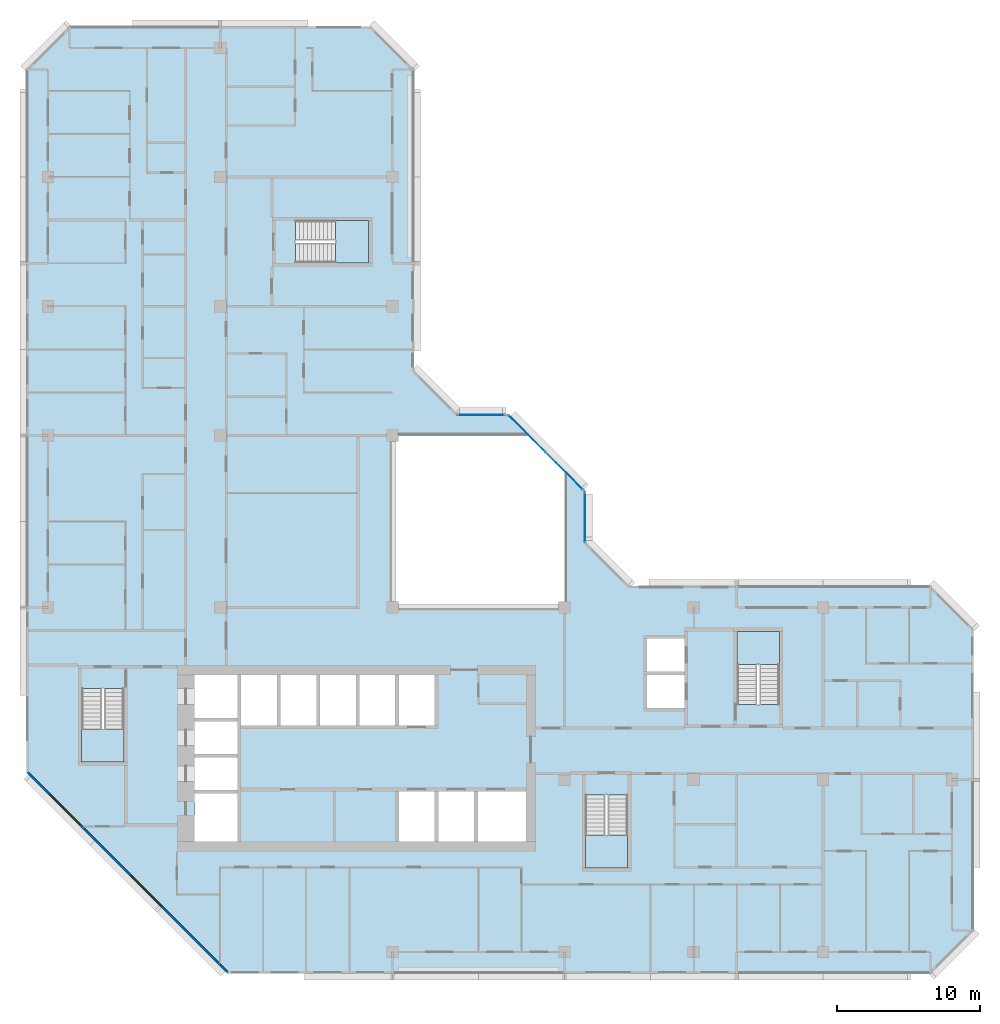
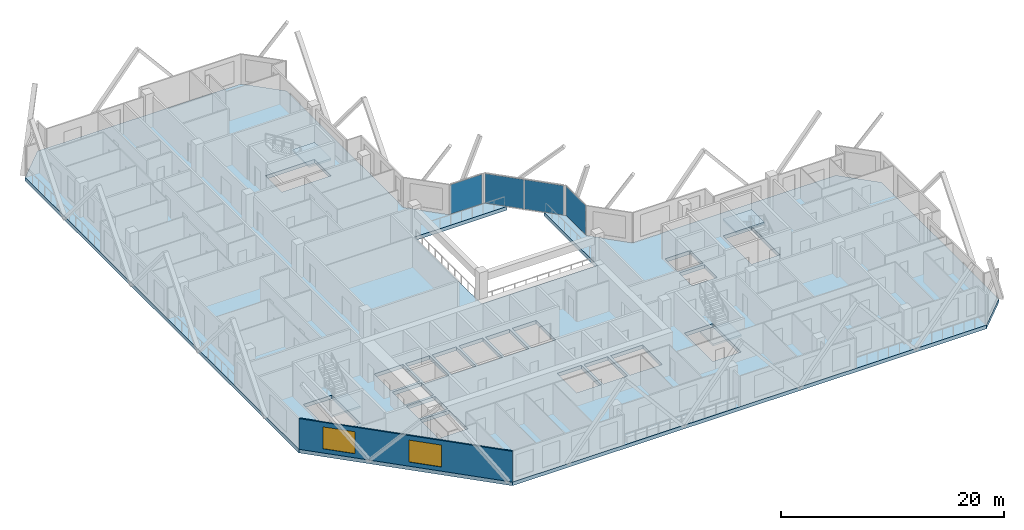
# One storey, part 3 of 16: 5 slabs, 4 plates, 2 windows, 1 wall, 2 openings, 7 elements without a shape of their own.
"""IFC4 building model written with IfcOpenShell, lengths in metres."""

from ifc_helpers import new_model, si_unit, direction, frame, frame_2d, origin, origin_2d, place, context, subcontext, project, spatial, polyline, rectangle, outline, extrude, material, layer, layer_set, type_object, element, fill, aggregate, save


model = new_model("IFC4")

# Units and contexts
model_context = context("Model", 3, precision=1e-05, world=origin(), true_north=direction((0.0, 1.0)))
body_context = subcontext(model_context, "Body", "Model", "MODEL_VIEW")
ifc_project = project(units=[si_unit("LENGTHUNIT", "METRE"), si_unit("AREAUNIT", "SQUARE_METRE"), si_unit("VOLUMEUNIT", "CUBIC_METRE"), si_unit("PLANEANGLEUNIT", "RADIAN"), si_unit("MASSUNIT", "GRAM", prefix="KILO")], contexts=[model_context])

# Site, building, storey
site_placement = place(None, origin())
site = spatial("IfcSite", under=ifc_project, at=site_placement, CompositionType="ELEMENT")
building_placement = place(site_placement, origin())
building = spatial("IfcBuilding", under=site, at=building_placement, Name="Chenar Terraces", CompositionType="ELEMENT")
storey_placement = place(building_placement, frame((0.0, 0.0, 219.14990234375)))
storey = spatial("IfcBuildingStorey", under=building, at=storey_placement, Name="L51", CompositionType="ELEMENT", Elevation=219.14990234375)

# Curtain wall, plate
ifc_material_1 = material(Name="Aluminium framed glazing", Category="aluminium")
ifc_layer_1 = layer(ifc_material_1, 0.14990234375)
ifc_layer_set_1 = layer_set([ifc_layer_1], Name="Aluminium framed glazing")
curtain_wall_type = type_object("IfcCurtainWallType", Name="Atrium mid-zone curtain wall", PredefinedType="NOTDEFINED", material=ifc_layer_set_1)
placement_1 = place(storey_placement, origin())
curtain_wall_1 = element("IfcCurtainWall", 1, at=placement_1, inside=storey, type_object=curtain_wall_type, Name="Atrium mid-zone curtain wall", PredefinedType="NOTDEFINED")
ifc_material_2 = material(Name="Low emissivity laminated glass, solar control coating", Category="glass")
ifc_layer_2 = layer(ifc_material_2, 0.031982421875)
ifc_layer_set_2 = layer_set([ifc_layer_2], Name="Low emissivity laminated glass, solar control coating")
plate_type = type_object("IfcPlateType", Name="Atrium mid-zone glazing panel 32", PredefinedType="CURTAIN_PANEL", material=ifc_layer_set_2)
plate_1_placement = place(storey_placement, frame((37.425048828125, 30.300048828125, 0.070068359375), z_axis=(0.0, 0.0, 1.0), x_axis=(0.0, 1.0, 0.0)))
plate_1 = element("IfcPlate", 2, at=plate_1_placement, type_object=plate_type, Name="CW7-1 panel 1.1", PredefinedType="CURTAIN_PANEL", context=body_context, shape_type="SweptSolid", body=[
    extrude(rectangle(XDim=3.4599609375, YDim=0.031982421875, at=origin_2d()), origin(), (0.0, 0.0, 1.0), 3.2099609375),
])
aggregate(curtain_wall_1, [plate_1])

# Curtain wall, plates
curtain_wall_2 = element("IfcCurtainWall", 3, at=placement_1, inside=storey, type_object=curtain_wall_type, Name="Atrium mid-zone curtain wall", PredefinedType="NOTDEFINED")
plate_2_placement = place(storey_placement, frame((35.978515625, 33.515380859375, 0.070068359375), z_axis=(0.0, 0.0, 1.0), x_axis=(-0.707106781187, 0.707106781187, 0.0)))
plate_2 = element("IfcPlate", 4, at=plate_2_placement, type_object=plate_type, Name="CW7-2 panel 1.1", PredefinedType="CURTAIN_PANEL", context=body_context, shape_type="SweptSolid", body=[
    extrude(rectangle(XDim=3.61328125, YDim=0.031982421875, at=origin_2d()), origin(), (0.0, 0.0, 1.0), 3.2099609375),
])
plate_3_placement = place(storey_placement, frame((33.3740234375, 36.119873046875, 0.070068359375), z_axis=(0.0, 0.0, 1.0), x_axis=(-0.707106781187, 0.707106781187, 0.0)))
plate_3 = element("IfcPlate", 5, at=plate_3_placement, type_object=plate_type, Name="CW7-2 panel 2.1", PredefinedType="CURTAIN_PANEL", context=body_context, shape_type="SweptSolid", body=[
    extrude(rectangle(XDim=3.61328125, YDim=0.031982421875, at=origin_2d()), origin(), (0.0, 0.0, 1.0), 3.2099609375),
])
aggregate(curtain_wall_2, [plate_2, plate_3])

# Curtain wall, plate
curtain_wall_3 = element("IfcCurtainWall", 6, at=placement_1, inside=storey, type_object=curtain_wall_type, Name="Atrium mid-zone curtain wall", PredefinedType="NOTDEFINED")
plate_4_placement = place(storey_placement, frame((30.199951171875, 37.425048828125, 0.070068359375), z_axis=(0.0, 0.0, 1.0), x_axis=(-1.0, 0.0, 0.0)))
plate_4 = element("IfcPlate", 7, at=plate_4_placement, type_object=plate_type, Name="CW7-3 panel 1.1", PredefinedType="CURTAIN_PANEL", context=body_context, shape_type="SweptSolid", body=[
    extrude(rectangle(XDim=3.260009765625, YDim=0.031982421875, at=origin_2d()), origin(), (0.0, 0.0, 1.0), 3.2099609375),
])
aggregate(curtain_wall_3, [plate_4])

# Stair, slab
ifc_material_3 = material(Name="Reinforced concrete C40/50", Category="concrete")
stair_type = type_object("IfcStairType", Name="Core stair 1400 half-turn", PredefinedType="HALF_TURN_STAIR", material=ifc_material_3)
stair_1 = element("IfcStair", 8, at=placement_1, inside=storey, type_object=stair_type, Name="L51 Stair 1", PredefinedType="HALF_TURN_STAIR")
ifc_material_4 = material(Name="Reinforced concrete C40/50", Category="concrete")
ifc_layer_3 = layer(ifc_material_4, 0.199951171875)
ifc_layer_set_3 = layer_set([ifc_layer_3], Name="Reinforced concrete C40/50")
slab_type_1 = type_object("IfcSlabType", Name="Core stair landing 200", PredefinedType="LANDING", material=ifc_layer_set_3)
placement_2 = place(storey_placement, frame((0.0, 0.0, 1.675048828125)))
slab_1 = element("IfcSlab", 9, at=placement_2, type_object=slab_type_1, Name="ST1 landing 1", PredefinedType="LANDING", context=body_context, shape_type="SweptSolid", body=[
    extrude(outline(polyline([(2.35009765625, 15.550048828125), (2.35009765625, 13.25), (5.300048828125, 13.25), (5.300048828125, 15.550048828125), (2.35009765625, 15.550048828125)])), origin(), (0.0, 0.0, 1.0), 0.199951171875),
])
aggregate(stair_1, [slab_1])

stair_2 = element("IfcStair", 10, at=placement_1, inside=storey, type_object=stair_type, Name="L51 Stair 2", PredefinedType="HALF_TURN_STAIR")
slab_2 = element("IfcSlab", 11, at=placement_2, type_object=slab_type_1, Name="ST2 landing 1", PredefinedType="LANDING", context=body_context, shape_type="SweptSolid", body=[
    extrude(outline(polyline([(37.449951171875, 8.14990234375), (37.449951171875, 5.85009765625), (40.39990234375, 5.85009765625), (40.39990234375, 8.14990234375), (37.449951171875, 8.14990234375)])), origin(), (0.0, 0.0, 1.0), 0.199951171875),
])
aggregate(stair_2, [slab_2])

stair_3 = element("IfcStair", 12, at=placement_1, inside=storey, type_object=stair_type, Name="L51 Stair 3", PredefinedType="HALF_TURN_STAIR")
slab_3 = element("IfcSlab", 13, at=placement_2, type_object=slab_type_1, Name="ST3 landing 1", PredefinedType="LANDING", context=body_context, shape_type="SweptSolid", body=[
    extrude(outline(polyline([(50.97509765625, 20.050048828125), (50.97509765625, 22.35009765625), (48.02490234375, 22.35009765625), (48.02490234375, 20.050048828125), (50.97509765625, 20.050048828125)])), origin(), (0.0, 0.0, 1.0), 0.199951171875),
])
aggregate(stair_3, [slab_3])

stair_4 = element("IfcStair", 14, at=placement_1, inside=storey, type_object=stair_type, Name="L51 Stair 4", PredefinedType="HALF_TURN_STAIR")
slab_4 = element("IfcSlab", 15, at=placement_2, type_object=slab_type_1, Name="ST4 landing 1", PredefinedType="LANDING", context=body_context, shape_type="SweptSolid", body=[
    extrude(outline(polyline([(20.050048828125, 48.02490234375), (22.35009765625, 48.02490234375), (22.35009765625, 50.97509765625), (20.050048828125, 50.97509765625), (20.050048828125, 48.02490234375)])), origin(), (0.0, 0.0, 1.0), 0.199951171875),
])
aggregate(stair_4, [slab_4])

# Slab
ifc_material_5 = material(Name="Concrete C40/50", Category="concrete")
ifc_layer_4 = layer(ifc_material_5, 0.39990234375)
ifc_layer_set_4 = layer_set([ifc_layer_4], Name="Concrete C40/50")
slab_type_2 = type_object("IfcSlabType", Name="Floor slab 400 Concrete C40/50", PredefinedType="FLOOR", material=ifc_layer_set_4)
slab_5_placement = place(storey_placement, frame((0.0, 0.0, -0.39990234375)))
element("IfcSlab", 16, at=slab_5_placement, inside=storey, type_object=slab_type_2, Name="Floor slab L51", PredefinedType="FLOOR", context=body_context, shape_type="SweptSolid", body=[
    extrude(outline(polyline([(64.5, 22.5), (64.5, 1.5), (61.5, -1.5), (12.5, -1.5), (-1.5, 12.5), (-1.5, 61.5), (1.5, 64.5), (22.5, 64.5), (25.5, 61.5), (25.5, 40.5), (28.5, 37.5), (32.10009765625, 37.5), (33.60009765625, 36.0), (24.0, 36.0), (24.0, 24.0), (36.0, 24.0), (36.0, 33.60009765625), (37.5, 32.10009765625), (37.5, 28.5), (40.5, 25.5), (61.5, 25.5), (64.5, 22.5)]), holes=[polyline([(13.199951171875, 11.050048828125), (10.199951171875, 11.050048828125), (10.199951171875, 7.699951171875), (13.199951171875, 7.699951171875), (13.199951171875, 11.050048828125)]), polyline([(13.199951171875, 13.550048828125), (10.199951171875, 13.550048828125), (10.199951171875, 11.300048828125), (13.199951171875, 11.300048828125), (13.199951171875, 13.550048828125)]), polyline([(13.199951171875, 16.050048828125), (10.199951171875, 16.050048828125), (10.199951171875, 13.800048828125), (13.199951171875, 13.800048828125), (13.199951171875, 16.050048828125)]), polyline([(2.35009765625, 13.25), (5.300048828125, 13.25), (5.300048828125, 18.35009765625), (2.35009765625, 18.35009765625), (2.35009765625, 13.25)]), polyline([(15.949951171875, 19.300048828125), (13.449951171875, 19.300048828125), (13.449951171875, 15.800048828125), (15.949951171875, 15.800048828125), (15.949951171875, 19.300048828125)]), polyline([(18.699951171875, 19.300048828125), (16.199951171875, 19.300048828125), (16.199951171875, 15.800048828125), (18.699951171875, 15.800048828125), (18.699951171875, 19.300048828125)]), polyline([(21.449951171875, 19.300048828125), (18.949951171875, 19.300048828125), (18.949951171875, 15.800048828125), (21.449951171875, 15.800048828125), (21.449951171875, 19.300048828125)]), polyline([(24.199951171875, 15.800048828125), (24.199951171875, 19.300048828125), (21.699951171875, 19.300048828125), (21.699951171875, 15.800048828125), (24.199951171875, 15.800048828125)]), polyline([(13.199951171875, 16.300048828125), (13.199951171875, 19.300048828125), (10.199951171875, 19.300048828125), (10.199951171875, 16.300048828125), (13.199951171875, 16.300048828125)]), polyline([(22.35009765625, 48.02490234375), (22.35009765625, 50.97509765625), (17.25, 50.97509765625), (17.25, 48.02490234375), (22.35009765625, 48.02490234375)]), polyline([(37.449951171875, 5.85009765625), (40.39990234375, 5.85009765625), (40.39990234375, 10.949951171875), (37.449951171875, 10.949951171875), (37.449951171875, 5.85009765625)]), polyline([(26.949951171875, 11.199951171875), (24.449951171875, 11.199951171875), (24.449951171875, 7.699951171875), (26.949951171875, 7.699951171875), (26.949951171875, 11.199951171875)]), polyline([(29.699951171875, 7.699951171875), (29.699951171875, 11.199951171875), (27.199951171875, 11.199951171875), (27.199951171875, 7.699951171875), (29.699951171875, 7.699951171875)]), polyline([(33.300048828125, 7.699951171875), (33.300048828125, 11.199951171875), (29.949951171875, 11.199951171875), (29.949951171875, 7.699951171875), (33.300048828125, 7.699951171875)]), polyline([(26.949951171875, 19.300048828125), (24.449951171875, 19.300048828125), (24.449951171875, 15.800048828125), (26.949951171875, 15.800048828125), (26.949951171875, 19.300048828125)]), polyline([(44.35009765625, 19.300048828125), (41.75, 19.300048828125), (41.75, 17.0), (44.35009765625, 17.0), (44.35009765625, 19.300048828125)]), polyline([(50.97509765625, 22.35009765625), (48.02490234375, 22.35009765625), (48.02490234375, 17.25), (50.97509765625, 17.25), (50.97509765625, 22.35009765625)]), polyline([(44.35009765625, 19.550048828125), (44.35009765625, 21.85009765625), (41.75, 21.85009765625), (41.75, 19.550048828125), (44.35009765625, 19.550048828125)])]), origin(), (0.0, 0.0, 1.0), 0.39990234375),
])

# Wall, openings, windows
ifc_material_6 = material(Name="Terracotta cladding on insulated backing", Category="masonry")
ifc_layer_5 = layer(ifc_material_6, 0.14990234375)
ifc_layer_set_5 = layer_set([ifc_layer_5], Name="Terracotta cladding on insulated backing")
wall_type = type_object("IfcWallType", Name="Terracotta rainscreen wall 150", PredefinedType="SOLIDWALL", material=ifc_layer_set_5)
wall_placement = place(storey_placement, frame((-1.447021484375, 12.552978515625, 0.0), z_axis=(0.0, 0.0, 1.0), x_axis=(0.707106781187, -0.707106781187, 0.0)))
wall = element("IfcWall", 17, at=wall_placement, inside=storey, type_object=wall_type, Name="Terracotta rainscreen wall", PredefinedType="SOLIDWALL", context=body_context, shape_type="SweptSolid", body=[
    extrude(rectangle(XDim=19.799072265625, YDim=0.14990234375, at=frame_2d((9.8994140625, 0.0))), origin(), (0.0, 0.0, 1.0), 3.35009765625),
])
opening_1_placement = place(wall_placement, frame((2.21240234375, 0.0, 0.449951171875)))
opening_1 = element("IfcOpeningElement", 18, at=opening_1_placement, cuts=wall, Name="Opening W300x240", PredefinedType="OPENING", context=body_context, shape_type="SweptSolid", body=[
    extrude(rectangle(XDim=3.0, YDim=2.39990234375, at=frame_2d((1.5, 1.199951171875))), frame((0.0, 0.0849609375, 0.0), z_axis=(0.0, -1.0, 0.0), x_axis=(1.0, 0.0, 0.0)), (0.0, 0.0, 1.0), 0.169921875),
])
opening_2_placement = place(wall_placement, frame((10.215576171875, 0.0, 0.449951171875)))
opening_2 = element("IfcOpeningElement", 19, at=opening_2_placement, cuts=wall, Name="Opening W300x240", PredefinedType="OPENING", context=body_context, shape_type="SweptSolid", body=[
    extrude(rectangle(XDim=3.0, YDim=2.39990234375, at=frame_2d((1.5, 1.199951171875))), frame((0.0, 0.0849609375, 0.0), z_axis=(0.0, -1.0, 0.0), x_axis=(1.0, 0.0, 0.0)), (0.0, 0.0, 1.0), 0.169921875),
])
ifc_material_7 = material(Name="Low emissivity double glazing, aluminium frame", Category="aluminium")
window_type = type_object("IfcWindowType", Name="Fixed light 3000 x 2400", PartitioningType="SINGLE_PANEL", PredefinedType="WINDOW", material=ifc_material_7)
window_1_placement = place(opening_1_placement, origin())
window_1 = element("IfcWindow", 20, at=window_1_placement, inside=storey, type_object=window_type, Name="Window", OverallHeight=2.39990234375, OverallWidth=3.0, PartitioningType="SINGLE_PANEL", PredefinedType="WINDOW", context=body_context, shape_type="SweptSolid", body=[
    extrude(rectangle(XDim=3.0, YDim=2.39990234375, at=frame_2d((1.5, 1.199951171875))), frame((0.0, 0.030029296875, 0.0), z_axis=(0.0, -1.0, 0.0), x_axis=(1.0, 0.0, 0.0)), (0.0, 0.0, 1.0), 0.06005859375),
])
fill(opening_1, window_1)
window_2_placement = place(opening_2_placement, origin())
window_2 = element("IfcWindow", 21, at=window_2_placement, inside=storey, type_object=window_type, Name="Window", OverallHeight=2.39990234375, OverallWidth=3.0, PartitioningType="SINGLE_PANEL", PredefinedType="WINDOW", context=body_context, shape_type="SweptSolid", body=[
    extrude(rectangle(XDim=3.0, YDim=2.39990234375, at=frame_2d((1.5, 1.199951171875))), frame((0.0, 0.030029296875, 0.0), z_axis=(0.0, -1.0, 0.0), x_axis=(1.0, 0.0, 0.0)), (0.0, 0.0, 1.0), 0.06005859375),
])
fill(opening_2, window_2)

save(model, "model.ifc")
